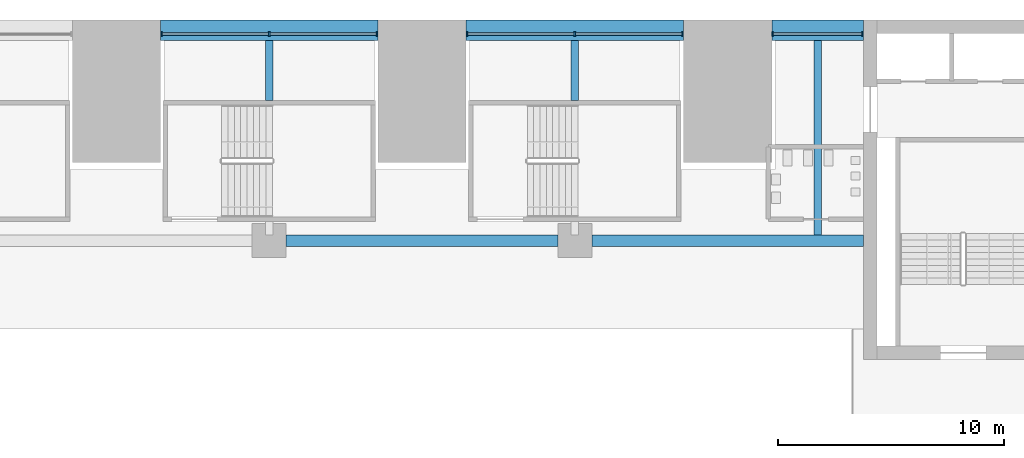
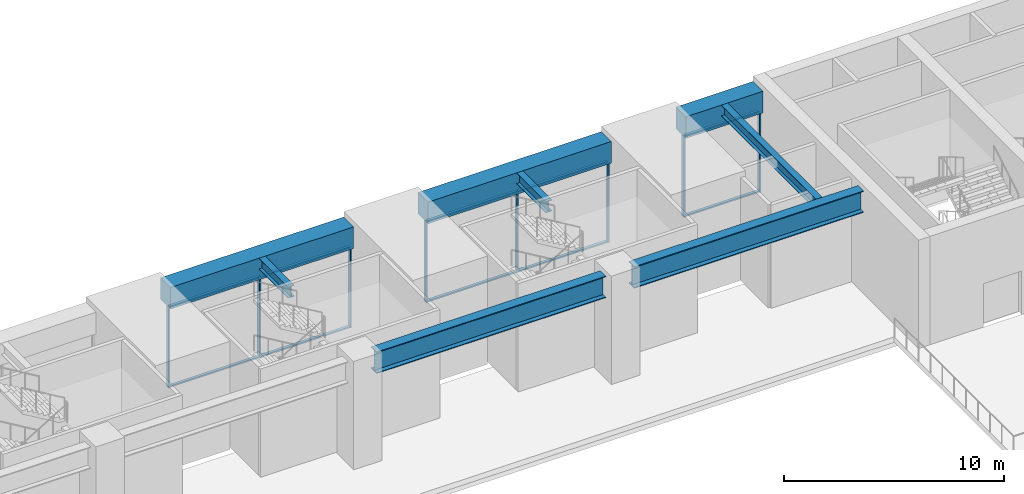
# One storey, part 9 of 41: 18 members, 8 beams, 3 elements without a shape of their own.
"""IFC4 building model written with IfcOpenShell, lengths in metres."""

from ifc_helpers import new_model, si_unit, direction, frame, origin, origin_2d, place, context, subcontext, project, spatial, rectangle, i_section, extrude, material, layer, layer_set, material_profile, profile_set, type_object, element, aggregate, save


model = new_model("IFC4")

# Units and contexts
model_context = context("Model", 3, precision=1e-05, world=origin(), true_north=direction((0.0, 1.0)))
body_context = subcontext(model_context, "Body", "Model", "MODEL_VIEW")
ifc_project = project(units=[si_unit("LENGTHUNIT", "METRE"), si_unit("AREAUNIT", "SQUARE_METRE"), si_unit("VOLUMEUNIT", "CUBIC_METRE"), si_unit("PLANEANGLEUNIT", "RADIAN"), si_unit("MASSUNIT", "GRAM", prefix="KILO")], contexts=[model_context])

# Site, building, storey
site_placement = place(None, origin())
site = spatial("IfcSite", under=ifc_project, at=site_placement, CompositionType="ELEMENT")
building_placement = place(site_placement, origin())
building = spatial("IfcBuilding", under=site, at=building_placement, Name="Corbelhall Arena Tower", CompositionType="ELEMENT")
storey_placement = place(building_placement, frame((0.0, 0.0, 19.0)))
storey = spatial("IfcBuildingStorey", under=building, at=storey_placement, Name="L02", CompositionType="ELEMENT", Elevation=19.0)

# Curtain wall, members
ifc_material_1 = material(Name="Aluminium black anodised", Category="aluminium")
ifc_layer = layer(ifc_material_1, 0.239990234375)
ifc_layer_set = layer_set([ifc_layer], Name="EV-CW4 Arena concourse glazing")
curtain_wall_type = type_object("IfcCurtainWallType", Name="EV-CW4 Arena concourse glazing", PredefinedType="NOTDEFINED", material=ifc_layer_set)
curtain_wall_1_placement = place(storey_placement, origin())
curtain_wall_1 = element("IfcCurtainWall", 1, at=curtain_wall_1_placement, inside=storey, type_object=curtain_wall_type, Name="Curtain wall CW4A", PredefinedType="NOTDEFINED")
ifc_material_profile_1 = material_profile(ifc_material_1, rectangle(XDim=0.199951171875, YDim=0.074951171875, at=origin_2d()))
ifc_profile_set_1 = profile_set([ifc_material_profile_1], Name="Aluminium black anodised")
member_type_1 = type_object("IfcMemberType", Name="EV-CW4-MULLION", PredefinedType="MULLION", material=ifc_profile_set_1)
member_1_placement = place(storey_placement, frame((32.96240234375, 38.3798828125, 0.0), z_axis=(0.0, 0.0, 1.0), x_axis=(0.0, -1.0, 0.0)))
member_1 = element("IfcMember", 2, at=member_1_placement, type_object=member_type_1, Name="CW4A mullion 1", PredefinedType="MULLION", context=body_context, shape_type="SweptSolid", body=[
    extrude(rectangle(XDim=0.199951171875, YDim=0.074951171875, at=origin_2d()), origin(), (0.0, 0.0, 1.0), 4.5),
])
member_2_placement = place(storey_placement, frame((28.987548828125, 38.3798828125, 0.0), z_axis=(0.0, 0.0, 1.0), x_axis=(0.0, -1.0, 0.0)))
member_2 = element("IfcMember", 3, at=member_2_placement, type_object=member_type_1, Name="CW4A mullion 2", PredefinedType="MULLION", context=body_context, shape_type="SweptSolid", body=[
    extrude(rectangle(XDim=0.199951171875, YDim=0.074951171875, at=origin_2d()), origin(), (0.0, 0.0, 1.0), 4.5),
])

curtain_wall_2_placement = place(storey_placement, origin())
curtain_wall_2 = element("IfcCurtainWall", 4, at=curtain_wall_2_placement, inside=storey, type_object=curtain_wall_type, Name="Curtain wall CW4", PredefinedType="NOTDEFINED")
member_3_placement = place(storey_placement, frame((25.012451171875, 38.3798828125, 0.0), z_axis=(0.0, 0.0, 1.0), x_axis=(0.0, -1.0, 0.0)))
member_3 = element("IfcMember", 5, at=member_3_placement, type_object=member_type_1, Name="CW4 mullion 1", PredefinedType="MULLION", context=body_context, shape_type="SweptSolid", body=[
    extrude(rectangle(XDim=0.199951171875, YDim=0.074951171875, at=origin_2d()), origin(), (0.0, 0.0, 1.0), 4.5),
])
member_4_placement = place(storey_placement, frame((20.25, 38.3798828125, 0.0), z_axis=(0.0, 0.0, 1.0), x_axis=(0.0, -1.0, 0.0)))
member_4 = element("IfcMember", 6, at=member_4_placement, type_object=member_type_1, Name="CW4 mullion 2", PredefinedType="MULLION", context=body_context, shape_type="SweptSolid", body=[
    extrude(rectangle(XDim=0.199951171875, YDim=0.074951171875, at=origin_2d()), origin(), (0.0, 0.0, 1.0), 4.5),
])
member_5_placement = place(storey_placement, frame((15.487548828125, 38.3798828125, 0.0), z_axis=(0.0, 0.0, 1.0), x_axis=(0.0, -1.0, 0.0)))
member_5 = element("IfcMember", 7, at=member_5_placement, type_object=member_type_1, Name="CW4 mullion 3", PredefinedType="MULLION", context=body_context, shape_type="SweptSolid", body=[
    extrude(rectangle(XDim=0.199951171875, YDim=0.074951171875, at=origin_2d()), origin(), (0.0, 0.0, 1.0), 4.5),
])

curtain_wall_3_placement = place(storey_placement, origin())
curtain_wall_3 = element("IfcCurtainWall", 8, at=curtain_wall_3_placement, inside=storey, type_object=curtain_wall_type, Name="Curtain wall CW4", PredefinedType="NOTDEFINED")
member_6_placement = place(storey_placement, frame((11.512451171875, 38.3798828125, 0.0), z_axis=(0.0, 0.0, 1.0), x_axis=(0.0, -1.0, 0.0)))
member_6 = element("IfcMember", 9, at=member_6_placement, type_object=member_type_1, Name="CW4 mullion 1", PredefinedType="MULLION", context=body_context, shape_type="SweptSolid", body=[
    extrude(rectangle(XDim=0.199951171875, YDim=0.074951171875, at=origin_2d()), origin(), (0.0, 0.0, 1.0), 4.5),
])
member_7_placement = place(storey_placement, frame((6.75, 38.3798828125, 0.0), z_axis=(0.0, 0.0, 1.0), x_axis=(0.0, -1.0, 0.0)))
member_7 = element("IfcMember", 10, at=member_7_placement, type_object=member_type_1, Name="CW4 mullion 2", PredefinedType="MULLION", context=body_context, shape_type="SweptSolid", body=[
    extrude(rectangle(XDim=0.199951171875, YDim=0.074951171875, at=origin_2d()), origin(), (0.0, 0.0, 1.0), 4.5),
])
member_8_placement = place(storey_placement, frame((1.987548828125, 38.3798828125, 0.0), z_axis=(0.0, 0.0, 1.0), x_axis=(0.0, -1.0, 0.0)))
member_8 = element("IfcMember", 11, at=member_8_placement, type_object=member_type_1, Name="CW4 mullion 3", PredefinedType="MULLION", context=body_context, shape_type="SweptSolid", body=[
    extrude(rectangle(XDim=0.199951171875, YDim=0.074951171875, at=origin_2d()), origin(), (0.0, 0.0, 1.0), 4.5),
])

# Member
ifc_material_profile_2 = material_profile(ifc_material_1, rectangle(XDim=0.14990234375, YDim=0.074951171875, at=origin_2d()))
ifc_profile_set_2 = profile_set([ifc_material_profile_2], Name="Aluminium black anodised")
member_type_2 = type_object("IfcMemberType", Name="EV-CW4-TRANSOM", PredefinedType="USERDEFINED", material=ifc_profile_set_2)
member_9_placement = place(storey_placement, frame((32.925048828125, 38.3798828125, 0.03759765625), z_axis=(-1.0, 0.0, 0.0), x_axis=(0.0, -1.0, 0.0)))
member_9 = element("IfcMember", 12, at=member_9_placement, type_object=member_type_2, Name="CW4A transom 1.1", ObjectType="transom", PredefinedType="USERDEFINED", context=body_context, shape_type="SweptSolid", body=[
    extrude(rectangle(XDim=0.14990234375, YDim=0.074951171875, at=origin_2d()), origin(), (0.0, 0.0, 1.0), 3.900146484375),
])

member_10_placement = place(storey_placement, frame((32.925048828125, 38.3798828125, 4.46240234375), z_axis=(-1.0, 0.0, 0.0), x_axis=(0.0, -1.0, 0.0)))
member_10 = element("IfcMember", 13, at=member_10_placement, type_object=member_type_2, Name="CW4A transom 1.2", ObjectType="transom", PredefinedType="USERDEFINED", context=body_context, shape_type="SweptSolid", body=[
    extrude(rectangle(XDim=0.14990234375, YDim=0.074951171875, at=origin_2d()), origin(), (0.0, 0.0, 1.0), 3.900146484375),
])

aggregate(curtain_wall_1, [member_1, member_2, member_9, member_10])

member_11_placement = place(storey_placement, frame((24.97509765625, 38.3798828125, 0.03759765625), z_axis=(-1.0, 0.0, 0.0), x_axis=(0.0, -1.0, 0.0)))
member_11 = element("IfcMember", 14, at=member_11_placement, type_object=member_type_2, Name="CW4 transom 1.1", ObjectType="transom", PredefinedType="USERDEFINED", context=body_context, shape_type="SweptSolid", body=[
    extrude(rectangle(XDim=0.14990234375, YDim=0.074951171875, at=origin_2d()), origin(), (0.0, 0.0, 1.0), 4.6875),
])

member_12_placement = place(storey_placement, frame((24.97509765625, 38.3798828125, 4.46240234375), z_axis=(-1.0, 0.0, 0.0), x_axis=(0.0, -1.0, 0.0)))
member_12 = element("IfcMember", 15, at=member_12_placement, type_object=member_type_2, Name="CW4 transom 1.2", ObjectType="transom", PredefinedType="USERDEFINED", context=body_context, shape_type="SweptSolid", body=[
    extrude(rectangle(XDim=0.14990234375, YDim=0.074951171875, at=origin_2d()), origin(), (0.0, 0.0, 1.0), 4.6875),
])

member_13_placement = place(storey_placement, frame((20.21240234375, 38.3798828125, 0.03759765625), z_axis=(-1.0, 0.0, 0.0), x_axis=(0.0, -1.0, 0.0)))
member_13 = element("IfcMember", 16, at=member_13_placement, type_object=member_type_2, Name="CW4 transom 2.1", ObjectType="transom", PredefinedType="USERDEFINED", context=body_context, shape_type="SweptSolid", body=[
    extrude(rectangle(XDim=0.14990234375, YDim=0.074951171875, at=origin_2d()), origin(), (0.0, 0.0, 1.0), 4.6875),
])

member_14_placement = place(storey_placement, frame((20.21240234375, 38.3798828125, 4.46240234375), z_axis=(-1.0, 0.0, 0.0), x_axis=(0.0, -1.0, 0.0)))
member_14 = element("IfcMember", 17, at=member_14_placement, type_object=member_type_2, Name="CW4 transom 2.2", ObjectType="transom", PredefinedType="USERDEFINED", context=body_context, shape_type="SweptSolid", body=[
    extrude(rectangle(XDim=0.14990234375, YDim=0.074951171875, at=origin_2d()), origin(), (0.0, 0.0, 1.0), 4.6875),
])

aggregate(curtain_wall_2, [member_3, member_4, member_5, member_11, member_12, member_13, member_14])

member_15_placement = place(storey_placement, frame((11.47509765625, 38.3798828125, 0.03759765625), z_axis=(-1.0, 0.0, 0.0), x_axis=(0.0, -1.0, 0.0)))
member_15 = element("IfcMember", 18, at=member_15_placement, type_object=member_type_2, Name="CW4 transom 1.1", ObjectType="transom", PredefinedType="USERDEFINED", context=body_context, shape_type="SweptSolid", body=[
    extrude(rectangle(XDim=0.14990234375, YDim=0.074951171875, at=origin_2d()), origin(), (0.0, 0.0, 1.0), 4.6875),
])

member_16_placement = place(storey_placement, frame((11.47509765625, 38.3798828125, 4.46240234375), z_axis=(-1.0, 0.0, 0.0), x_axis=(0.0, -1.0, 0.0)))
member_16 = element("IfcMember", 19, at=member_16_placement, type_object=member_type_2, Name="CW4 transom 1.2", ObjectType="transom", PredefinedType="USERDEFINED", context=body_context, shape_type="SweptSolid", body=[
    extrude(rectangle(XDim=0.14990234375, YDim=0.074951171875, at=origin_2d()), origin(), (0.0, 0.0, 1.0), 4.6875),
])

member_17_placement = place(storey_placement, frame((6.71240234375, 38.3798828125, 0.03759765625), z_axis=(-1.0, 0.0, 0.0), x_axis=(0.0, -1.0, 0.0)))
member_17 = element("IfcMember", 20, at=member_17_placement, type_object=member_type_2, Name="CW4 transom 2.1", ObjectType="transom", PredefinedType="USERDEFINED", context=body_context, shape_type="SweptSolid", body=[
    extrude(rectangle(XDim=0.14990234375, YDim=0.074951171875, at=origin_2d()), origin(), (0.0, 0.0, 1.0), 4.6875),
])

member_18_placement = place(storey_placement, frame((6.71240234375, 38.3798828125, 4.46240234375), z_axis=(-1.0, 0.0, 0.0), x_axis=(0.0, -1.0, 0.0)))
member_18 = element("IfcMember", 21, at=member_18_placement, type_object=member_type_2, Name="CW4 transom 2.2", ObjectType="transom", PredefinedType="USERDEFINED", context=body_context, shape_type="SweptSolid", body=[
    extrude(rectangle(XDim=0.14990234375, YDim=0.074951171875, at=origin_2d()), origin(), (0.0, 0.0, 1.0), 4.6875),
])

aggregate(curtain_wall_3, [member_6, member_7, member_8, member_15, member_16, member_17, member_18])

# Beams
ifc_material_2 = material(Name="Steel ASTM A992 Gr50", Category="steel")
ifc_material_profile_3 = material_profile(ifc_material_2, i_section(OverallWidth=0.323974609375, OverallDepth=0.611083984375, WebThickness=0.0126953125, FlangeThickness=0.01904296875, at=origin_2d()))
ifc_profile_set_3 = profile_set([ifc_material_profile_3], Name="Steel ASTM A992 Gr50")
beam_type_1 = type_object("IfcBeamType", Name="PO-BEAM-W24X104", PredefinedType="BEAM", material=ifc_profile_set_3)
for number, where, z_axis, x_axis, name in (
    (22, (6.75, 35.449951171875, 5.39453125), (0.0, 1.0, 0.0), (-1.0, 0.0, 0.0), "CONCOURSE BEAM"),
    (23, (20.25, 35.449951171875, 5.39453125), (0.0, 1.0, 0.0), (-1.0, 0.0, 0.0), "CONCOURSE BEAM"),
):
    element("IfcBeam", number, at=place(storey_placement, frame(where, z_axis=z_axis, x_axis=x_axis)), inside=storey, type_object=beam_type_1, Name=name, PredefinedType="BEAM", context=body_context, shape_type="SweptSolid", body=[
        extrude(i_section(OverallWidth=0.323974609375, OverallDepth=0.611083984375, WebThickness=0.0126953125, FlangeThickness=0.01904296875, at=origin_2d()), origin(), (0.0, 0.0, 1.0), 2.650146484375),
    ])
beam_1_placement = place(storey_placement, frame((30.97509765625, 29.5, 5.39453125), z_axis=(0.0, 1.0, 0.0), x_axis=(-1.0, 0.0, 0.0)))
element("IfcBeam", 24, at=beam_1_placement, inside=storey, type_object=beam_type_1, Name="CONCOURSE BEAM", PredefinedType="BEAM", context=body_context, shape_type="SweptSolid", body=[
    extrude(i_section(OverallWidth=0.323974609375, OverallDepth=0.611083984375, WebThickness=0.0126953125, FlangeThickness=0.01904296875, at=origin_2d()), origin(), (0.0, 0.0, 1.0), 8.60009765625),
])
ifc_material_3 = material(Name="Steel ASTM A572 Gr50", Category="steel")
ifc_material_profile_4 = material_profile(ifc_material_3, i_section(OverallWidth=0.5, OverallDepth=1.199951171875, WebThickness=0.02490234375, FlangeThickness=0.044921875, at=origin_2d()))
ifc_profile_set_4 = profile_set([ifc_material_profile_4], Name="Steel ASTM A572 Gr50")
beam_type_2 = type_object("IfcBeamType", Name="PO-GIRDER-PG1200X500X25X45", PredefinedType="BEAM", material=ifc_profile_set_4)
for number, where, z_axis, x_axis, name in (
    (25, (7.5, 29.25, 5.10009765625), (1.0, 0.0, 0.0), (0.0, 1.0, 0.0), "RING GIRDER"),
    (26, (21.0, 29.25, 5.10009765625), (1.0, 0.0, 0.0), (0.0, 1.0, 0.0), "RING GIRDER"),
):
    element("IfcBeam", number, at=place(storey_placement, frame(where, z_axis=z_axis, x_axis=x_axis)), inside=storey, type_object=beam_type_2, Name=name, PredefinedType="BEAM", context=body_context, shape_type="SweptSolid", body=[
        extrude(i_section(OverallWidth=0.5, OverallDepth=1.199951171875, WebThickness=0.02490234375, FlangeThickness=0.044921875, at=origin_2d()), origin(), (0.0, 0.0, 1.0), 12.0),
    ])
ifc_material_4 = material(Name="Concrete C80/95", Category="concrete")
ifc_material_profile_5 = material_profile(ifc_material_4, rectangle(XDim=0.89990234375, YDim=1.199951171875, at=origin_2d()))
ifc_profile_set_5 = profile_set([ifc_material_profile_5], Name="Concrete C80/95")
beam_type_3 = type_object("IfcBeamType", Name="PO-RING-BEAM", PredefinedType="BEAM", material=ifc_profile_set_5)
for number, where, z_axis, x_axis, name in (
    (27, (1.949951171875, 38.550048828125, 5.10009765625), (1.0, 0.0, 0.0), (0.0, 1.0, 0.0), "RING GIRDER L03 N4"),
    (28, (15.449951171875, 38.550048828125, 5.10009765625), (1.0, 0.0, 0.0), (0.0, 1.0, 0.0), "RING GIRDER L03 N5"),
):
    element("IfcBeam", number, at=place(storey_placement, frame(where, z_axis=z_axis, x_axis=x_axis)), inside=storey, type_object=beam_type_3, Name=name, PredefinedType="BEAM", context=body_context, shape_type="SweptSolid", body=[
        extrude(rectangle(XDim=0.89990234375, YDim=1.199951171875, at=origin_2d()), origin(), (0.0, 0.0, 1.0), 9.60009765625),
    ])
beam_2_placement = place(storey_placement, frame((28.949951171875, 38.550048828125, 5.10009765625), z_axis=(1.0, 0.0, 0.0), x_axis=(0.0, 1.0, 0.0)))
element("IfcBeam", 29, at=beam_2_placement, inside=storey, type_object=beam_type_3, Name="RING GIRDER L03 N6", PredefinedType="BEAM", context=body_context, shape_type="SweptSolid", body=[
    extrude(rectangle(XDim=0.89990234375, YDim=1.199951171875, at=origin_2d()), origin(), (0.0, 0.0, 1.0), 4.050048828125),
])

save(model, "model.ifc")
